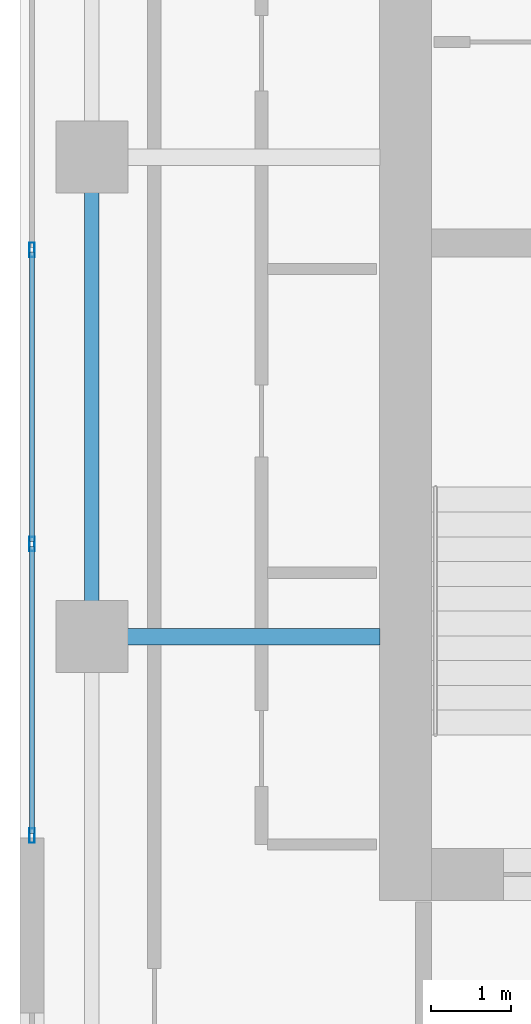
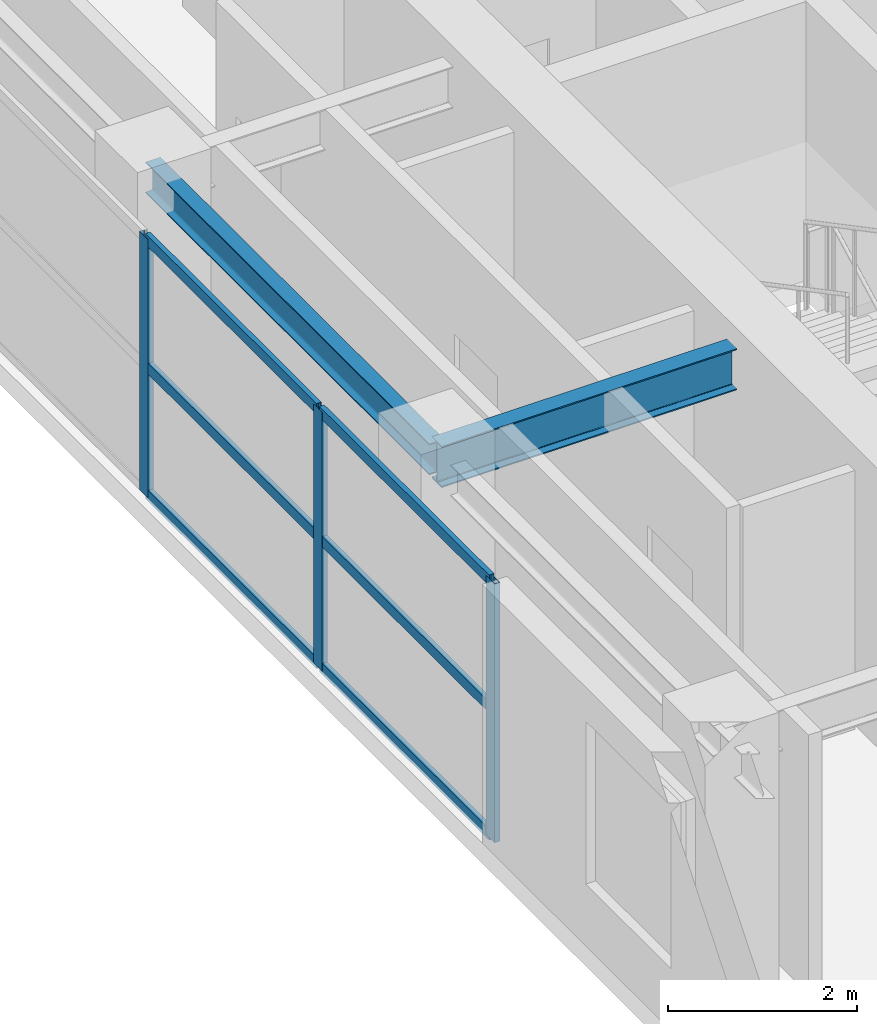
# One storey, part 2 of 14: 9 members, 2 beams, 1 element without a shape of its own.
"""IFC4 building model written with IfcOpenShell, lengths in metres."""

from ifc_helpers import new_model, si_unit, direction, frame, origin, origin_2d, place, context, subcontext, project, spatial, hollow_rectangle, i_section, extrude, source, transform, mapped, material, layer, layer_set, material_profile, profile_set, type_object, element, aggregate, save


model = new_model("IFC4")

# Units and contexts
model_context = context("Model", 3, precision=1e-05, world=origin(), true_north=direction((0.0, 1.0)))
body_context = subcontext(model_context, "Body", "Model", "MODEL_VIEW")
ifc_project = project(units=[si_unit("LENGTHUNIT", "METRE"), si_unit("AREAUNIT", "SQUARE_METRE"), si_unit("VOLUMEUNIT", "CUBIC_METRE"), si_unit("PLANEANGLEUNIT", "RADIAN"), si_unit("MASSUNIT", "GRAM", prefix="KILO")], contexts=[model_context])

# Site, building, storey
site_placement = place(None, origin())
site = spatial("IfcSite", under=ifc_project, at=site_placement, CompositionType="ELEMENT")
building_placement = place(site_placement, origin())
building = spatial("IfcBuilding", under=site, at=building_placement, Name="Khoralis Quay Care Tower", CompositionType="ELEMENT")
storey_placement = place(building_placement, frame((0.0, 0.0, 177.300048828125)))
storey = spatial("IfcBuildingStorey", under=building, at=storey_placement, Name="L46", CompositionType="ELEMENT", Elevation=177.300048828125)

# Beams
ifc_material_1 = material(Name="Steel S355", Category="steel")
ifc_material_profile_1 = material_profile(ifc_material_1, i_section(OverallWidth=0.179931640625, OverallDepth=0.39990234375, WebThickness=0.008544921875, FlangeThickness=0.013427734375, FilletRadius=0.02099609375, at=origin_2d()), Name="Steel S355")
ifc_profile_set_1 = profile_set([ifc_material_profile_1], Name="Steel S355")
beam_type_1 = type_object("IfcBeamType", Name="BM-IPE400", PredefinedType="SPANDREL", material=ifc_profile_set_1)
shared_shape_1 = source(origin(), body_context, "Body", "SweptSolid", [
    extrude(i_section(OverallWidth=0.179931640625, OverallDepth=0.39990234375, WebThickness=0.008544921875, FlangeThickness=0.013427734375, FilletRadius=0.02099609375, at=origin_2d()), origin(), (0.0, 0.0, 1.0), 6.0),
])
beam_1_placement = place(storey_placement, frame((3.89990234375, 18.0, 3.139892578125), z_axis=(0.0, 1.0, 0.0), x_axis=(-1.0, 0.0, 0.0)))
element("IfcBeam", 1, at=beam_1_placement, inside=storey, type_object=beam_type_1, Name="BM-TSP-L46-11", PredefinedType="SPANDREL", context=body_context, shape_type="MappedRepresentation", body=[
    mapped(shared_shape_1, transform((0.0, 0.0, 0.0), scale=1.0)),
])
ifc_material_profile_2 = material_profile(ifc_material_1, i_section(OverallWidth=0.208984375, OverallDepth=0.532958984375, WebThickness=0.01025390625, FlangeThickness=0.015625, FilletRadius=0.01611328125, at=origin_2d()), Name="Steel S355")
ifc_profile_set_2 = profile_set([ifc_material_profile_2], Name="Steel S355")
beam_type_2 = type_object("IfcBeamType", Name="BM-W530X92", PredefinedType="BEAM", material=ifc_profile_set_2)
shared_shape_2 = source(origin(), body_context, "Body", "SweptSolid", [
    extrude(i_section(OverallWidth=0.208984375, OverallDepth=0.532958984375, WebThickness=0.01025390625, FlangeThickness=0.015625, FilletRadius=0.01611328125, at=origin_2d()), origin(), (0.0, 0.0, 1.0), 3.60205078125),
])
beam_2_placement = place(storey_placement, frame((3.89990234375, 18.0, 3.073486328125), z_axis=(1.0, 0.0, 0.0), x_axis=(0.0, 1.0, 0.0)))
element("IfcBeam", 2, at=beam_2_placement, inside=storey, type_object=beam_type_2, Name="BM-TGXW-L46-180", PredefinedType="BEAM", context=body_context, shape_type="MappedRepresentation", body=[
    mapped(shared_shape_2, transform((0.0, 0.0, 0.0), scale=1.0)),
])

# Curtain wall, members
ifc_material_2 = material(Name="Pale anodised aluminium", Category="aluminium")
ifc_layer = layer(ifc_material_2, 0.159912109375)
ifc_layer_set = layer_set([ifc_layer], Name="Pale anodised aluminium")
curtain_wall_type = type_object("IfcCurtainWallType", Name="CW-SYS-Z3", PredefinedType="NOTDEFINED", material=ifc_layer_set)
curtain_wall_placement = place(storey_placement, origin())
curtain_wall = element("IfcCurtainWall", 3, at=curtain_wall_placement, inside=storey, type_object=curtain_wall_type, Name="L46 Unitised Curtain Wall CW-L46-P1-E15", PredefinedType="NOTDEFINED")
ifc_material_profile_3 = material_profile(ifc_material_2, hollow_rectangle(XDim=0.06494140625, YDim=0.179931640625, WallThickness=0.00390625, at=origin_2d()), Name="Pale anodised aluminium")
ifc_profile_set_3 = profile_set([ifc_material_profile_3], Name="Pale anodised aluminium")
member_type_1 = type_object("IfcMemberType", Name="CW-MUL-180", PredefinedType="MULLION", material=ifc_profile_set_3)
shared_shape_3 = source(origin(), body_context, "Body", "SweptSolid", [
    extrude(hollow_rectangle(XDim=0.06494140625, YDim=0.179931640625, WallThickness=0.00390625, at=origin_2d()), origin(), (0.0, 0.0, 1.0), 3.33984375),
])
member_1_placement = place(storey_placement, frame((3.14990234375, 22.840087890625, 0.0), z_axis=(0.0, 0.0, 1.0), x_axis=(1.0, 0.0, 0.0)))
member_1 = element("IfcMember", 4, at=member_1_placement, type_object=member_type_1, Name="CW3 mullion 2", PredefinedType="MULLION", context=body_context, shape_type="MappedRepresentation", body=[
    mapped(shared_shape_3, transform((0.0, 0.0, 0.0), scale=1.0)),
])
member_2_placement = place(storey_placement, frame((3.14990234375, 19.159912109375, 0.0), z_axis=(0.0, 0.0, 1.0), x_axis=(1.0, 0.0, 0.0)))
member_2 = element("IfcMember", 5, at=member_2_placement, type_object=member_type_1, Name="CW3 mullion 3", PredefinedType="MULLION", context=body_context, shape_type="MappedRepresentation", body=[
    mapped(shared_shape_3, transform((0.0, 0.0, 0.0), scale=1.0)),
])
member_3_placement = place(storey_placement, frame((3.14990234375, 15.510009765625, 0.0), z_axis=(0.0, 0.0, 1.0), x_axis=(1.0, 0.0, 0.0)))
member_3 = element("IfcMember", 6, at=member_3_placement, type_object=member_type_1, Name="CW3 mullion 4", PredefinedType="MULLION", context=body_context, shape_type="MappedRepresentation", body=[
    mapped(shared_shape_3, transform((0.0, 0.0, 0.0), scale=1.0)),
])
ifc_material_profile_4 = material_profile(ifc_material_2, hollow_rectangle(XDim=0.06005859375, YDim=0.139892578125, WallThickness=0.00390625, at=origin_2d()), Name="Pale anodised aluminium")
ifc_profile_set_4 = profile_set([ifc_material_profile_4], Name="Pale anodised aluminium")
member_type_2 = type_object("IfcMemberType", Name="CW-TRN-140", PredefinedType="USERDEFINED", material=ifc_profile_set_4)
shared_shape_4 = source(origin(), body_context, "Body", "SweptSolid", [
    extrude(hollow_rectangle(XDim=0.06005859375, YDim=0.139892578125, WallThickness=0.00390625, at=origin_2d()), origin(), (0.0, 0.0, 1.0), 3.58984375),
])
member_4_placement = place(storey_placement, frame((3.14990234375, 19.1298828125, 0.030029296875), z_axis=(0.0, -1.0, 0.0), x_axis=(1.0, 0.0, 0.0)))
member_4 = element("IfcMember", 7, at=member_4_placement, type_object=member_type_2, Name="CW3 transom 3.1", ObjectType="TRANSOM", PredefinedType="USERDEFINED", context=body_context, shape_type="MappedRepresentation", body=[
    mapped(shared_shape_4, transform((0.0, 0.0, 0.0), scale=1.0)),
])
member_5_placement = place(storey_placement, frame((3.14990234375, 19.1298828125, 1.669921875), z_axis=(0.0, -1.0, 0.0), x_axis=(1.0, 0.0, 0.0)))
member_5 = element("IfcMember", 8, at=member_5_placement, type_object=member_type_2, Name="CW3 transom 3.2", ObjectType="TRANSOM", PredefinedType="USERDEFINED", context=body_context, shape_type="MappedRepresentation", body=[
    mapped(shared_shape_4, transform((0.0, 0.0, 0.0), scale=1.0)),
])
member_6_placement = place(storey_placement, frame((3.14990234375, 19.1298828125, 3.31005859375), z_axis=(0.0, -1.0, 0.0), x_axis=(1.0, 0.0, 0.0)))
member_6 = element("IfcMember", 9, at=member_6_placement, type_object=member_type_2, Name="CW3 transom 3.3", ObjectType="TRANSOM", PredefinedType="USERDEFINED", context=body_context, shape_type="MappedRepresentation", body=[
    mapped(shared_shape_4, transform((0.0, 0.0, 0.0), scale=1.0)),
])
shared_shape_5 = source(origin(), body_context, "Body", "SweptSolid", [
    extrude(hollow_rectangle(XDim=0.06005859375, YDim=0.139892578125, WallThickness=0.00390625, at=origin_2d()), origin(), (0.0, 0.0, 1.0), 3.6201171875),
])
member_7_placement = place(storey_placement, frame((3.14990234375, 22.81005859375, 0.030029296875), z_axis=(0.0, -1.0, 0.0), x_axis=(1.0, 0.0, 0.0)))
member_7 = element("IfcMember", 10, at=member_7_placement, type_object=member_type_2, Name="CW3 transom 2.1", ObjectType="TRANSOM", PredefinedType="USERDEFINED", context=body_context, shape_type="MappedRepresentation", body=[
    mapped(shared_shape_5, transform((0.0, 0.0, 0.0), scale=1.0)),
])
member_8_placement = place(storey_placement, frame((3.14990234375, 22.81005859375, 1.669921875), z_axis=(0.0, -1.0, 0.0), x_axis=(1.0, 0.0, 0.0)))
member_8 = element("IfcMember", 11, at=member_8_placement, type_object=member_type_2, Name="CW3 transom 2.2", ObjectType="TRANSOM", PredefinedType="USERDEFINED", context=body_context, shape_type="MappedRepresentation", body=[
    mapped(shared_shape_5, transform((0.0, 0.0, 0.0), scale=1.0)),
])
member_9_placement = place(storey_placement, frame((3.14990234375, 22.81005859375, 3.31005859375), z_axis=(0.0, -1.0, 0.0), x_axis=(1.0, 0.0, 0.0)))
member_9 = element("IfcMember", 12, at=member_9_placement, type_object=member_type_2, Name="CW3 transom 2.3", ObjectType="TRANSOM", PredefinedType="USERDEFINED", context=body_context, shape_type="MappedRepresentation", body=[
    mapped(shared_shape_5, transform((0.0, 0.0, 0.0), scale=1.0)),
])
aggregate(curtain_wall, [member_1, member_2, member_3, member_7, member_8, member_9, member_4, member_5, member_6])

save(model, "model.ifc")
